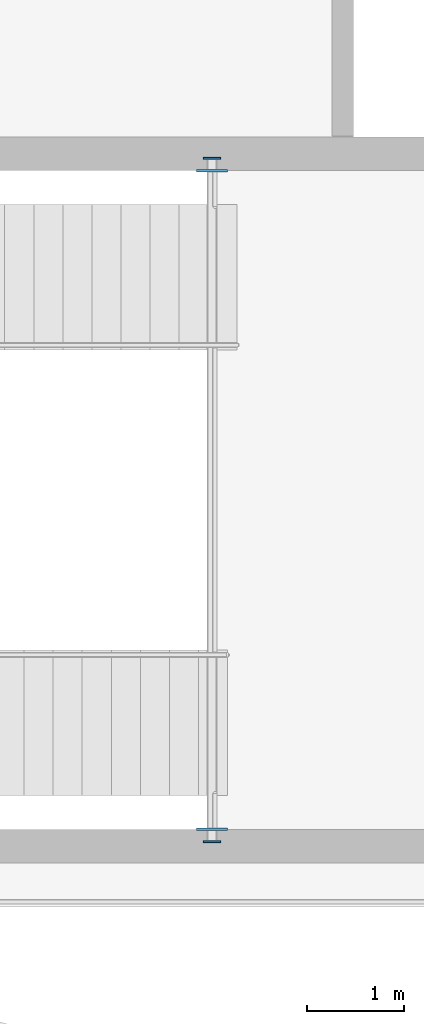
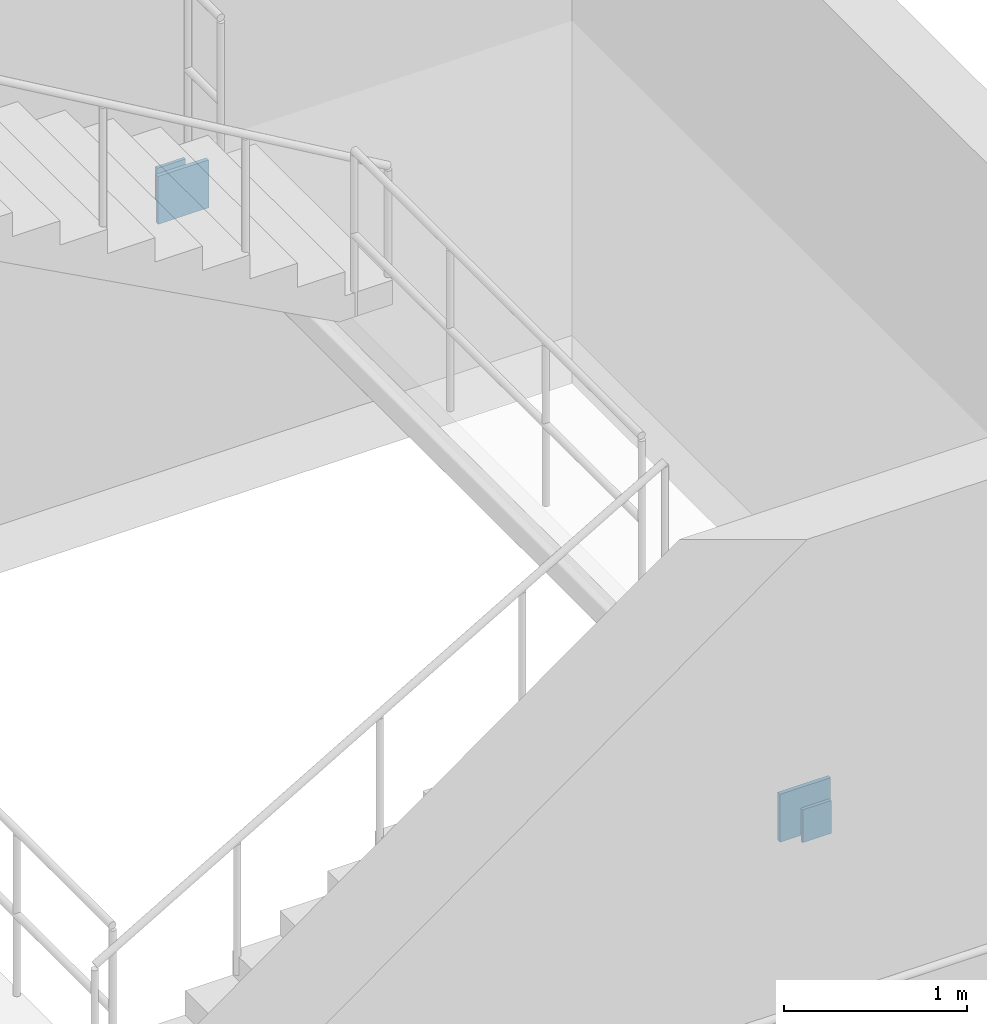
# One storey, part 12 of 35: 4 plates.
"""IFC4 building model written with IfcOpenShell, lengths in metres."""

from ifc_helpers import new_model, si_unit, direction, frame, origin, origin_2d, place, context, subcontext, project, spatial, rectangle, extrude, material, layer, layer_set, type_object, element, save


model = new_model("IFC4")

# Units and contexts
model_context = context("Model", 3, precision=1e-05, world=origin(), true_north=direction((0.0, 1.0)))
body_context = subcontext(model_context, "Body", "Model", "MODEL_VIEW")
ifc_project = project(units=[si_unit("LENGTHUNIT", "METRE"), si_unit("AREAUNIT", "SQUARE_METRE"), si_unit("VOLUMEUNIT", "CUBIC_METRE"), si_unit("PLANEANGLEUNIT", "RADIAN"), si_unit("MASSUNIT", "GRAM", prefix="KILO"), si_unit("THERMODYNAMICTEMPERATUREUNIT", "KELVIN"), si_unit("POWERUNIT", "WATT")], contexts=[model_context])

# Site, building, storey
site_placement = place(None, origin())
site = spatial("IfcSite", under=ifc_project, at=site_placement, CompositionType="ELEMENT")
building_placement = place(site_placement, origin())
building = spatial("IfcBuilding", under=site, at=building_placement, Name="Solvatero Civic Police Headquarters", CompositionType="ELEMENT")
storey_placement = place(building_placement, frame((0.0, 0.0, -4.199951171875)))
storey = spatial("IfcBuildingStorey", under=building, at=storey_placement, Name="B01", CompositionType="ELEMENT", Elevation=-4.199951171875)

# Plates
ifc_material = material(Name="Steel S355", Category="steel")
ifc_layer_1 = layer(ifc_material, 0.02001953125)
ifc_layer_set_1 = layer_set([ifc_layer_1], Name="Steel S355")
plate_type_1 = type_object("IfcPlateType", Name="PLT-CAP-20", PredefinedType="SHEET", material=ifc_layer_set_1)
for number, where, z_axis, x_axis, name in (
    (1, (46.139892578125, 42.469970703125, 1.71484375), (0.0, 0.0, 1.0), (1.0, 0.0, 0.0), "Hollow Section Cap Plate 0021"),
    (2, (46.139892578125, 49.530029296875, 1.71484375), (0.0, 0.0, 1.0), (1.0, 0.0, 0.0), "Hollow Section Cap Plate 0022"),
):
    element("IfcPlate", number, at=place(storey_placement, frame(where, z_axis=z_axis, x_axis=x_axis)), inside=storey, type_object=plate_type_1, Name=name, PredefinedType="SHEET", context=body_context, shape_type="SweptSolid", body=[
        extrude(rectangle(XDim=0.179931640625, YDim=0.02001953125, at=origin_2d()), origin(), (0.0, 0.0, 1.0), 0.219970703125),
    ])
ifc_layer_2 = layer(ifc_material, 0.02490234375)
ifc_layer_set_2 = layer_set([ifc_layer_2], Name="Steel S355")
plate_type_2 = type_object("IfcPlateType", Name="PLT-EMB-25", PredefinedType="SHEET", material=ifc_layer_set_2)
for number, where, z_axis, x_axis, name in (
    (3, (46.139892578125, 42.60009765625, 1.6650390625), (0.0, 0.0, 1.0), (1.0, 0.0, 0.0), "Cast-In Shear Wall Embed Plate 0021"),
    (4, (46.139892578125, 49.39990234375, 1.6650390625), (0.0, 0.0, 1.0), (1.0, 0.0, 0.0), "Cast-In Shear Wall Embed Plate 0022"),
):
    element("IfcPlate", number, at=place(storey_placement, frame(where, z_axis=z_axis, x_axis=x_axis)), inside=storey, type_object=plate_type_2, Name=name, PredefinedType="SHEET", context=body_context, shape_type="SweptSolid", body=[
        extrude(rectangle(XDim=0.320068359375, YDim=0.02490234375, at=origin_2d()), origin(), (0.0, 0.0, 1.0), 0.320068359375),
    ])

save(model, "model.ifc")
